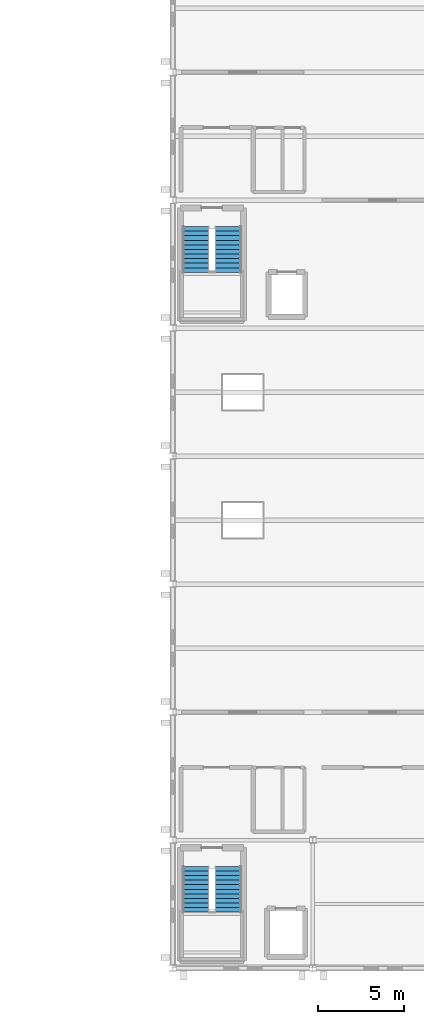
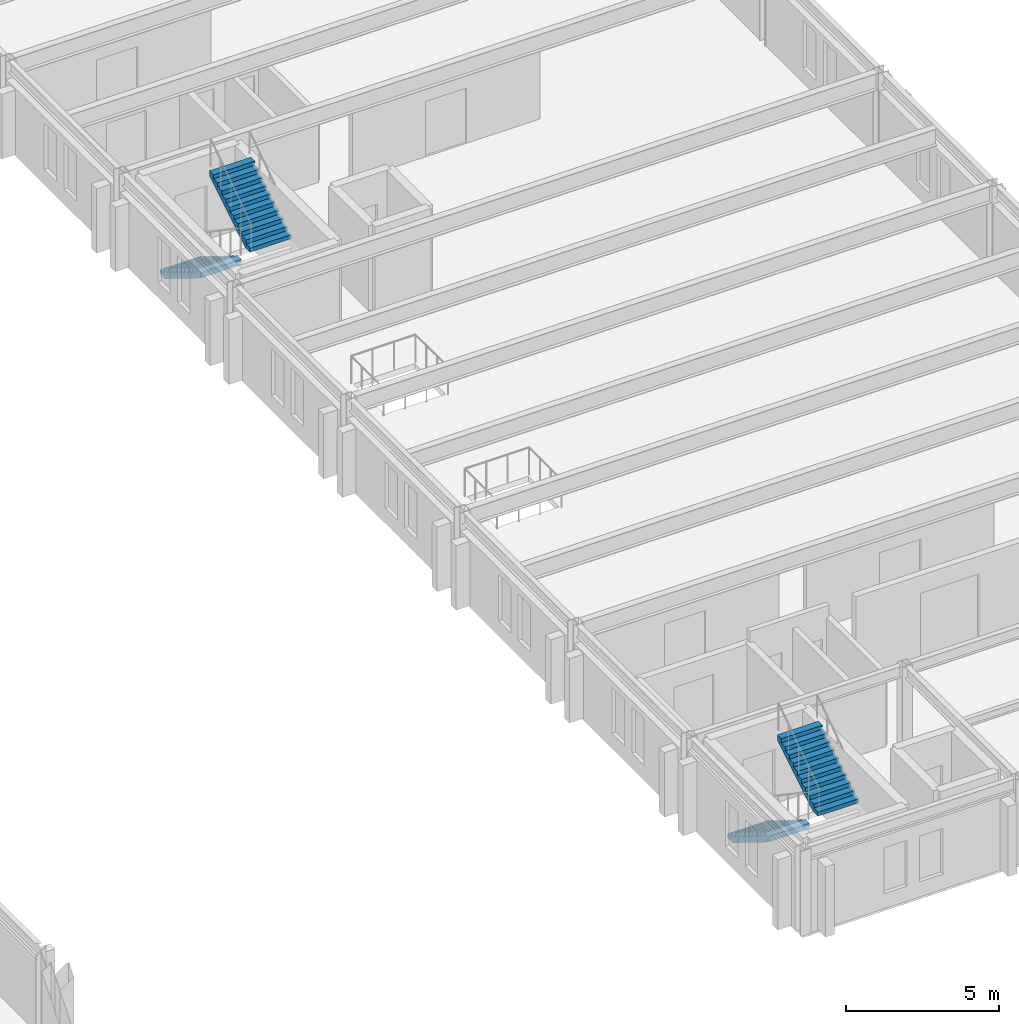
# One storey, part 16 of 19: 4 stair flights, 2 elements without a shape of their own.
"""IFC4 building model written with IfcOpenShell, lengths in metres."""

from ifc_helpers import new_model, si_unit, direction, frame, origin, place, context, subcontext, project, spatial, polyline, outline, extrude, material, type_object, element, aggregate, save


model = new_model("IFC4")

# Units and contexts
model_context = context("Model", 3, precision=1e-05, world=origin(), true_north=direction((0.0, 1.0)))
body_context = subcontext(model_context, "Body", "Model", "MODEL_VIEW")
ifc_project = project(units=[si_unit("LENGTHUNIT", "METRE"), si_unit("AREAUNIT", "SQUARE_METRE"), si_unit("VOLUMEUNIT", "CUBIC_METRE"), si_unit("PLANEANGLEUNIT", "RADIAN"), si_unit("MASSUNIT", "GRAM", prefix="KILO")], contexts=[model_context])

# Site, building, storey
site_placement = place(None, origin())
site = spatial("IfcSite", under=ifc_project, at=site_placement, CompositionType="ELEMENT")
building_placement = place(site_placement, origin())
building = spatial("IfcBuilding", under=site, at=building_placement, Name="Cimatlan Art Gallery", CompositionType="ELEMENT")
storey_placement = place(building_placement, frame((0.0, 0.0, 17.39990234375)))
storey = spatial("IfcBuildingStorey", under=building, at=storey_placement, Name="L04", CompositionType="ELEMENT", Elevation=17.39990234375)

# Stair, stair flights
ifc_material = material(Name="Concrete C35/45", Category="concrete")
stair_type = type_object("IfcStairType", Name="STR-HALF-155-360", PredefinedType="HALF_TURN_STAIR", material=ifc_material)
stair_1_placement = place(storey_placement, origin())
stair_1 = element("IfcStair", 1, at=stair_1_placement, inside=storey, type_object=stair_type, Name="STR-C3-L04", PredefinedType="HALF_TURN_STAIR")
stair_flight_type = type_object("IfcStairFlightType", Name="STF-155-11R-265", PredefinedType="STRAIGHT", material=ifc_material)
stair_flight_1_placement = place(storey_placement, frame((76.235107421875, 29.780029296875, 0.0), z_axis=(0.0, 0.0, 1.0), x_axis=(0.0, -1.0, 0.0)))
stair_flight_1 = element("IfcStairFlight", 2, at=stair_flight_1_placement, type_object=stair_flight_type, Name="STR-C3-L04-F1", NumberOfRisers=11, NumberOfTreads=10, PredefinedType="STRAIGHT", RiserHeight=0.163636, TreadLength=0.265, context=body_context, shape_type="SweptSolid", body=[
    extrude(outline(polyline([(0.0, 0.0), (0.0, 0.16357421875), (0.264892578125, 0.16357421875), (0.264892578125, 0.327392578125), (0.530029296875, 0.327392578125), (0.530029296875, 0.490966796875), (0.794921875, 0.490966796875), (0.794921875, 0.654541015625), (1.06005859375, 0.654541015625), (1.06005859375, 0.818115234375), (1.324951171875, 0.818115234375), (1.324951171875, 0.98193359375), (1.590087890625, 0.98193359375), (1.590087890625, 1.1455078125), (1.85498046875, 1.1455078125), (1.85498046875, 1.30908203125), (2.1201171875, 1.30908203125), (2.1201171875, 1.47265625), (2.385009765625, 1.47265625), (2.385009765625, 1.636474609375), (2.64990234375, 1.636474609375), (2.64990234375, 1.800048828125), (2.64990234375, 1.4248046875), (0.342529296875, 0.0), (0.0, 0.0)])), frame((0.0, 0.77490234375, 0.0), z_axis=(0.0, -1.0, 0.0), x_axis=(1.0, 0.0, 0.0)), (0.0, 0.0, 1.0), 1.550048828125),
])
stair_flight_2_placement = place(storey_placement, frame((78.10498046875, 27.1298828125, 1.800048828125), z_axis=(0.0, 0.0, 1.0), x_axis=(0.0, 1.0, 0.0)))
stair_flight_2 = element("IfcStairFlight", 3, at=stair_flight_2_placement, type_object=stair_flight_type, Name="STR-C3-L04-F2", NumberOfRisers=11, NumberOfTreads=10, PredefinedType="STRAIGHT", RiserHeight=0.163636, TreadLength=0.265, context=body_context, shape_type="SweptSolid", body=[
    extrude(outline(polyline([(0.0, 0.0), (0.0, 0.16357421875), (0.264892578125, 0.16357421875), (0.264892578125, 0.327392578125), (0.530029296875, 0.327392578125), (0.530029296875, 0.490966796875), (0.794921875, 0.490966796875), (0.794921875, 0.654541015625), (1.06005859375, 0.654541015625), (1.06005859375, 0.818115234375), (1.324951171875, 0.818115234375), (1.324951171875, 0.98193359375), (1.590087890625, 0.98193359375), (1.590087890625, 1.1455078125), (1.85498046875, 1.1455078125), (1.85498046875, 1.30908203125), (2.1201171875, 1.30908203125), (2.1201171875, 1.47265625), (2.385009765625, 1.47265625), (2.385009765625, 1.636474609375), (2.64990234375, 1.636474609375), (2.64990234375, 1.800048828125), (2.64990234375, 1.4248046875), (0.342529296875, 0.0), (0.0, 0.0)])), frame((0.0, 0.77490234375, 0.0), z_axis=(0.0, -1.0, 0.0), x_axis=(1.0, 0.0, 0.0)), (0.0, 0.0, 1.0), 1.550048828125),
])
aggregate(stair_1, [stair_flight_1, stair_flight_2])

stair_2_placement = place(storey_placement, origin())
stair_2 = element("IfcStair", 4, at=stair_2_placement, inside=storey, type_object=stair_type, Name="STR-C6-L04", PredefinedType="HALF_TURN_STAIR")
stair_flight_3_placement = place(storey_placement, frame((76.235107421875, 66.780029296875, 0.0), z_axis=(0.0, 0.0, 1.0), x_axis=(0.0, -1.0, 0.0)))
stair_flight_3 = element("IfcStairFlight", 5, at=stair_flight_3_placement, type_object=stair_flight_type, Name="STR-C6-L04-F1", NumberOfRisers=11, NumberOfTreads=10, PredefinedType="STRAIGHT", RiserHeight=0.163636, TreadLength=0.265, context=body_context, shape_type="SweptSolid", body=[
    extrude(outline(polyline([(0.0, 0.0), (0.0, 0.16357421875), (0.264892578125, 0.16357421875), (0.264892578125, 0.327392578125), (0.530029296875, 0.327392578125), (0.530029296875, 0.490966796875), (0.794921875, 0.490966796875), (0.794921875, 0.654541015625), (1.06005859375, 0.654541015625), (1.06005859375, 0.818115234375), (1.324951171875, 0.818115234375), (1.324951171875, 0.98193359375), (1.590087890625, 0.98193359375), (1.590087890625, 1.1455078125), (1.85498046875, 1.1455078125), (1.85498046875, 1.30908203125), (2.1201171875, 1.30908203125), (2.1201171875, 1.47265625), (2.385009765625, 1.47265625), (2.385009765625, 1.636474609375), (2.64990234375, 1.636474609375), (2.64990234375, 1.800048828125), (2.64990234375, 1.4248046875), (0.342529296875, 0.0), (0.0, 0.0)])), frame((0.0, 0.77490234375, 0.0), z_axis=(0.0, -1.0, 0.0), x_axis=(1.0, 0.0, 0.0)), (0.0, 0.0, 1.0), 1.550048828125),
])
stair_flight_4_placement = place(storey_placement, frame((78.10498046875, 64.1298828125, 1.800048828125), z_axis=(0.0, 0.0, 1.0), x_axis=(0.0, 1.0, 0.0)))
stair_flight_4 = element("IfcStairFlight", 6, at=stair_flight_4_placement, type_object=stair_flight_type, Name="STR-C6-L04-F2", NumberOfRisers=11, NumberOfTreads=10, PredefinedType="STRAIGHT", RiserHeight=0.163636, TreadLength=0.265, context=body_context, shape_type="SweptSolid", body=[
    extrude(outline(polyline([(0.0, 0.0), (0.0, 0.16357421875), (0.264892578125, 0.16357421875), (0.264892578125, 0.327392578125), (0.530029296875, 0.327392578125), (0.530029296875, 0.490966796875), (0.794921875, 0.490966796875), (0.794921875, 0.654541015625), (1.06005859375, 0.654541015625), (1.06005859375, 0.818115234375), (1.324951171875, 0.818115234375), (1.324951171875, 0.98193359375), (1.590087890625, 0.98193359375), (1.590087890625, 1.1455078125), (1.85498046875, 1.1455078125), (1.85498046875, 1.30908203125), (2.1201171875, 1.30908203125), (2.1201171875, 1.47265625), (2.385009765625, 1.47265625), (2.385009765625, 1.636474609375), (2.64990234375, 1.636474609375), (2.64990234375, 1.800048828125), (2.64990234375, 1.4248046875), (0.342529296875, 0.0), (0.0, 0.0)])), frame((0.0, 0.77490234375, 0.0), z_axis=(0.0, -1.0, 0.0), x_axis=(1.0, 0.0, 0.0)), (0.0, 0.0, 1.0), 1.550048828125),
])
aggregate(stair_2, [stair_flight_3, stair_flight_4])

save(model, "model.ifc")
